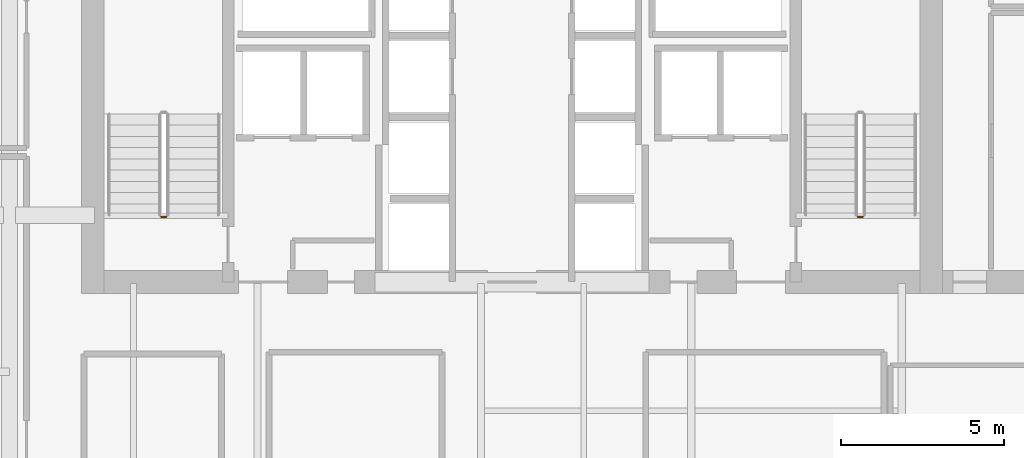
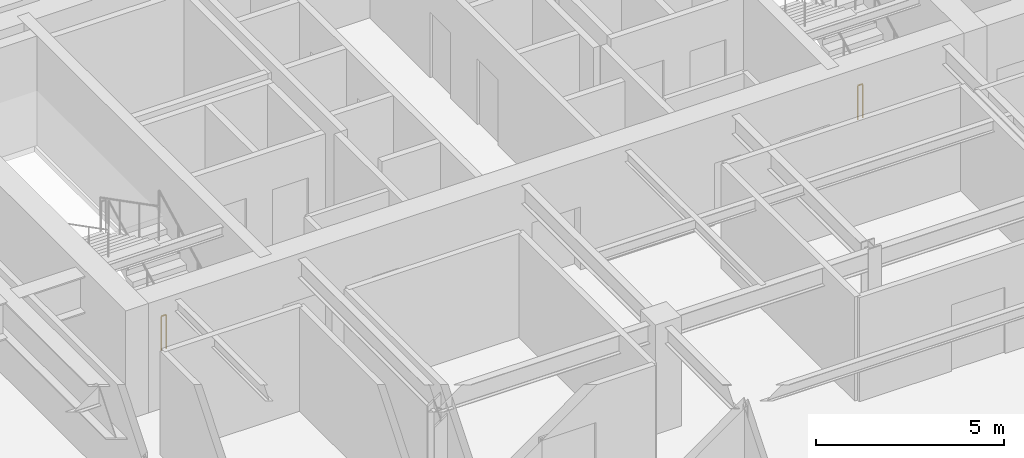
# One storey, part 17 of 20: 2 railings.
"""IFC4 building model written with IfcOpenShell, lengths in metres."""

from ifc_helpers import new_model, si_unit, direction, frame, origin, origin_2d, place, context, subcontext, project, spatial, circle, extrude, material, type_object, element, save


model = new_model("IFC4")

# Units and contexts
model_context = context("Model", 3, precision=1e-05, world=origin(), true_north=direction((0.0, 1.0)))
body_context = subcontext(model_context, "Body", "Model", "MODEL_VIEW")
ifc_project = project(units=[si_unit("LENGTHUNIT", "METRE"), si_unit("AREAUNIT", "SQUARE_METRE"), si_unit("VOLUMEUNIT", "CUBIC_METRE"), si_unit("PLANEANGLEUNIT", "RADIAN"), si_unit("MASSUNIT", "GRAM", prefix="KILO")], contexts=[model_context])

# Site, building, storey
site_placement = place(None, origin())
site = spatial("IfcSite", under=ifc_project, at=site_placement, CompositionType="ELEMENT")
building_placement = place(site_placement, origin())
building = spatial("IfcBuilding", under=site, at=building_placement, Name="Tolvann Quenvar Hotel", CompositionType="ELEMENT")
storey_placement = place(building_placement, frame((0.0, 0.0, 191.10009765625)))
storey = spatial("IfcBuildingStorey", under=building, at=storey_placement, Name="L50", CompositionType="ELEMENT", Elevation=191.10009765625)

# Railings
ifc_material = material(Name="Brushed 316 stainless steel balustrade and handrail", Category="steel")
railing_type = type_object("IfcRailingType", Name="GUARDRAIL", PredefinedType="GUARDRAIL", material=ifc_material)
for number, where, name in (
    (1, (12.39990234375, 33.949951171875, 0.0), "L50 ST-C1 stair guard 4"),
    (2, (33.75, 33.949951171875, 0.0), "L50 ST-C2 stair guard 4"),
):
    element("IfcRailing", number, at=place(storey_placement, frame(where)), inside=storey, type_object=railing_type, Name=name, PredefinedType="GUARDRAIL", context=body_context, shape_type="SweptSolid", body=[
        extrude(circle(Radius=0.02392578125, at=origin_2d()), frame((0.0, 0.0, 1.09619140625), z_axis=(-1.0, 0.0, 0.0), x_axis=(0.0, -1.0, 0.0)), (0.0, 0.0, 1.0), 0.14990234375),
        extrude(circle(Radius=0.02099609375, at=origin_2d()), origin(), (0.0, 0.0, 1.0), 1.072021484375),
        extrude(circle(Radius=0.02099609375, at=origin_2d()), frame((-0.14990234375, 0.0, 0.0)), (0.0, 0.0, 1.0), 1.072021484375),
    ])

save(model, "model.ifc")
